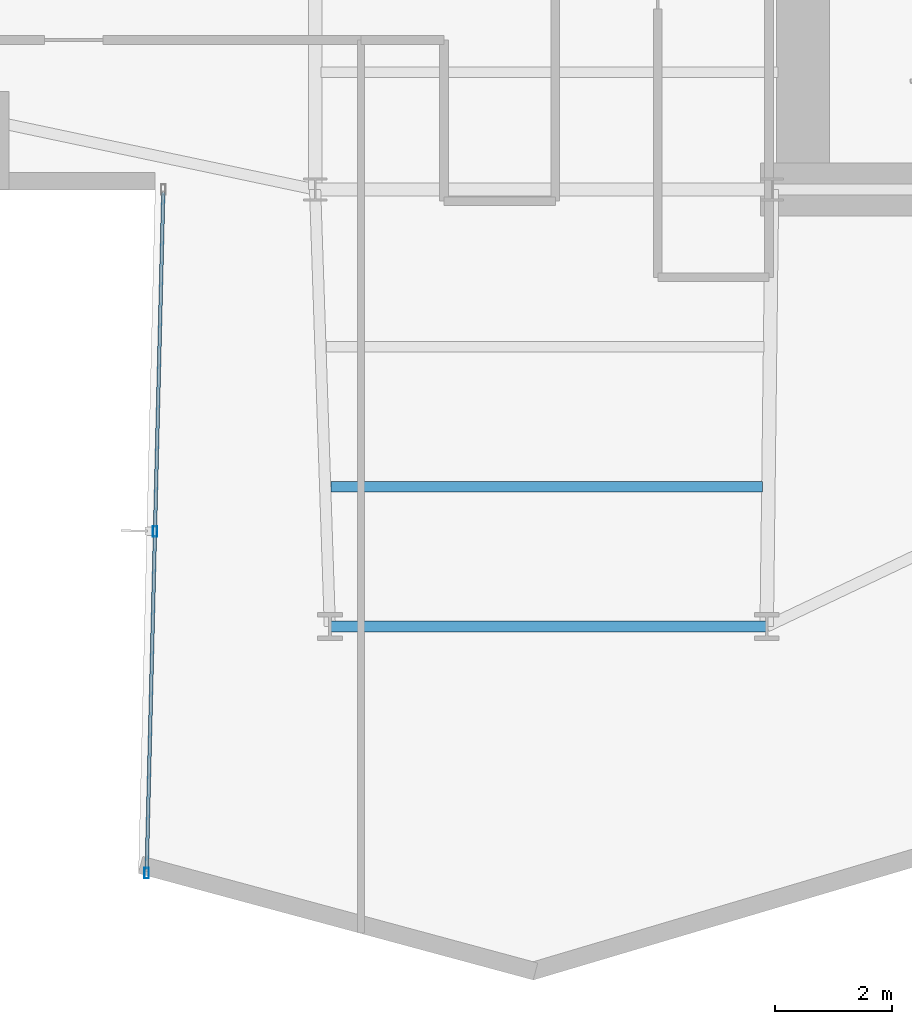
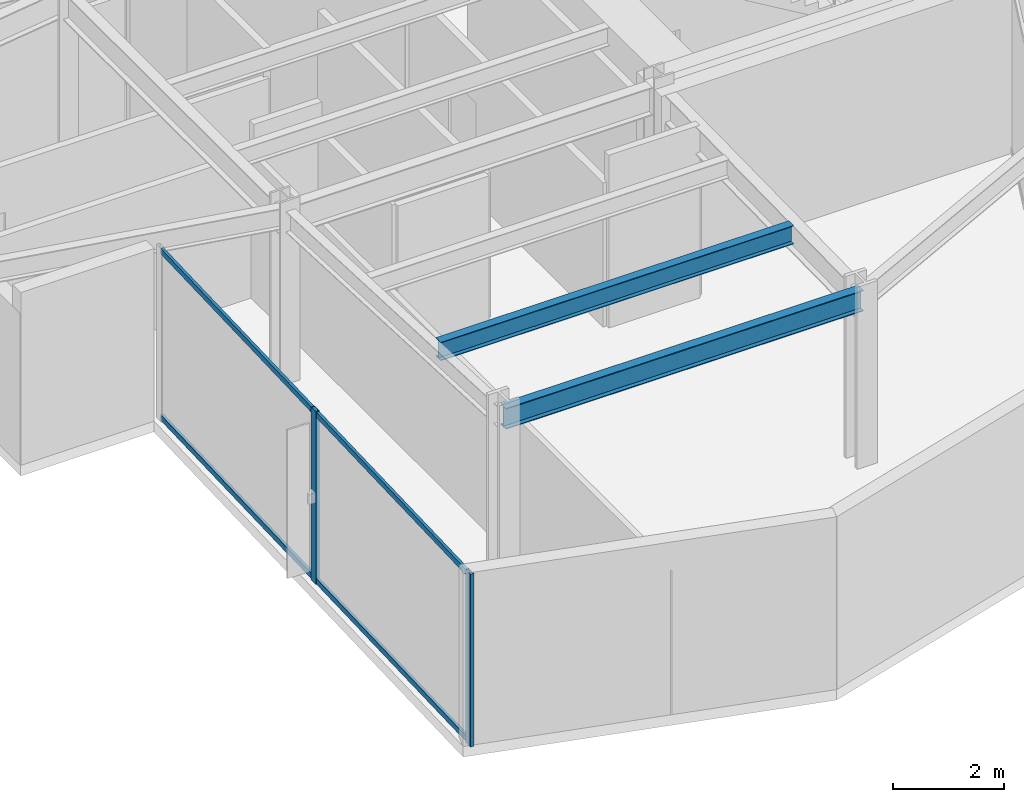
# One storey, part 4 of 25: 4 members, 2 beams, 1 element without a shape of its own.
"""IFC4 building model written with IfcOpenShell, lengths in metres."""

from ifc_helpers import new_model, si_unit, direction, frame, origin, origin_2d, place, context, subcontext, project, spatial, hollow_rectangle, i_section, extrude, material, layer, layer_set, material_profile, profile_set, type_object, element, aggregate, save


model = new_model("IFC4")

# Units and contexts
model_context = context("Model", 3, precision=1e-05, world=origin(), true_north=direction((0.0, 1.0)))
body_context = subcontext(model_context, "Body", "Model", "MODEL_VIEW")
ifc_project = project(units=[si_unit("LENGTHUNIT", "METRE"), si_unit("AREAUNIT", "SQUARE_METRE"), si_unit("VOLUMEUNIT", "CUBIC_METRE"), si_unit("PLANEANGLEUNIT", "RADIAN"), si_unit("MASSUNIT", "GRAM", prefix="KILO")], contexts=[model_context])

# Site, building, storey
site_placement = place(None, origin())
site = spatial("IfcSite", under=ifc_project, at=site_placement, CompositionType="ELEMENT")
building_placement = place(site_placement, origin())
building = spatial("IfcBuilding", under=site, at=building_placement, Name="Veymaron Broadcast Tower", CompositionType="ELEMENT")
storey_placement = place(building_placement, frame((0.0, 0.0, 74.25)))
storey = spatial("IfcBuildingStorey", under=building, at=storey_placement, Name="L16", CompositionType="ELEMENT", Elevation=74.25)

# Beams
ifc_material_1 = material(Name="Structural steel ASTM A992 Gr 50", Category="steel")
ifc_material_profile_1 = material_profile(ifc_material_1, i_section(OverallWidth=0.177978515625, OverallDepth=0.406982421875, WebThickness=0.0078125, FlangeThickness=0.0126953125, at=origin_2d()), Name="W410X60")
ifc_profile_set_1 = profile_set([ifc_material_profile_1], Name="Structural steel ASTM A992 Gr 50")
beam_type_1 = type_object("IfcBeamType", Name="BM-JS1", PredefinedType="JOIST", material=ifc_profile_set_1)
beam_1_placement = place(storey_placement, frame((31.471435546875, 10.92724609375, 3.6064453125), z_axis=(1.0, 0.0, 0.0), x_axis=(0.0, 1.0, 0.0)))
element("IfcBeam", 1, at=beam_1_placement, inside=storey, type_object=beam_type_1, Name="L16 Arm-C secondary joist 2", PredefinedType="JOIST", context=body_context, shape_type="SweptSolid", body=[
    extrude(i_section(OverallWidth=0.177978515625, OverallDepth=0.406982421875, WebThickness=0.0078125, FlangeThickness=0.0126953125, at=origin_2d()), origin(), (0.0, 0.0, 1.0), 7.367431640625),
])
ifc_material_profile_2 = material_profile(ifc_material_1, i_section(OverallWidth=0.19091796875, OverallDepth=0.4599609375, WebThickness=0.010009765625, FlangeThickness=0.01611328125, at=origin_2d()), Name="W460X82")
ifc_profile_set_2 = profile_set([ifc_material_profile_2], Name="Structural steel ASTM A992 Gr 50")
beam_type_2 = type_object("IfcBeamType", Name="BM-SP1", PredefinedType="SPANDREL", material=ifc_profile_set_2)
beam_2_placement = place(storey_placement, frame((31.451904296875, 8.5400390625, 3.580078125), z_axis=(1.0, 0.0, 0.0), x_axis=(0.0, 1.0, 0.0)))
element("IfcBeam", 2, at=beam_2_placement, inside=storey, type_object=beam_type_2, Name="L16 primary structural floor girder", PredefinedType="SPANDREL", context=body_context, shape_type="SweptSolid", body=[
    extrude(i_section(OverallWidth=0.19091796875, OverallDepth=0.4599609375, WebThickness=0.010009765625, FlangeThickness=0.01611328125, at=origin_2d()), origin(), (0.0, 0.0, 1.0), 7.4580078125),
])

# Curtain wall, members
ifc_material_2 = material(Name="Anodised aluminium AA 6063-T6 and laminated low-E dark glass", Category="aluminium")
ifc_layer = layer(ifc_material_2, 0.179931640625)
ifc_layer_set = layer_set([ifc_layer], Name="Anodised aluminium AA 6063-T6 and laminated low-E dark glass")
curtain_wall_type = type_object("IfcCurtainWallType", Name="CW-SYS-02", PredefinedType="NOTDEFINED", material=ifc_layer_set)
curtain_wall_placement = place(storey_placement, origin())
curtain_wall = element("IfcCurtainWall", 3, at=curtain_wall_placement, inside=storey, type_object=curtain_wall_type, Name="L16 dark-glass curtain wall CW-L16-E17-1", PredefinedType="NOTDEFINED")
ifc_material_3 = material(Name="Anodised aluminium AA 6063-T6", Category="aluminium")
ifc_material_profile_3 = material_profile(ifc_material_3, hollow_rectangle(XDim=0.074951171875, YDim=0.179931640625, WallThickness=0.0048828125, at=origin_2d()), Name="AL180X75X5")
ifc_profile_set_3 = profile_set([ifc_material_profile_3], Name="Anodised aluminium AA 6063-T6")
member_type_1 = type_object("IfcMemberType", Name="CW-MUL-02", PredefinedType="MULLION", material=ifc_profile_set_3)
member_1_placement = place(storey_placement, frame((28.46630859375, 10.16357421875, 0.0), z_axis=(0.0, 0.0, 1.0), x_axis=(1.0, 0.0, 0.0)))
member_1 = element("IfcMember", 4, at=member_1_placement, type_object=member_type_1, Name="CW-L16-E17-1 mullion 1", PredefinedType="MULLION", context=body_context, shape_type="SweptSolid", body=[
    extrude(hollow_rectangle(XDim=0.074951171875, YDim=0.179931640625, WallThickness=0.0048828125, at=origin_2d()), origin(), (0.0, 0.0, 1.0), 3.81005859375),
])
member_2_placement = place(storey_placement, frame((28.323974609375, 4.33056640625, 0.0), z_axis=(0.0, 0.0, 1.0), x_axis=(1.0, 0.0, 0.0)))
member_2 = element("IfcMember", 5, at=member_2_placement, type_object=member_type_1, Name="CW-L16-E17-1 mullion 2", PredefinedType="MULLION", context=body_context, shape_type="SweptSolid", body=[
    extrude(hollow_rectangle(XDim=0.074951171875, YDim=0.179931640625, WallThickness=0.0048828125, at=origin_2d()), origin(), (0.0, 0.0, 1.0), 3.81005859375),
])
ifc_material_profile_4 = material_profile(ifc_material_3, hollow_rectangle(XDim=0.06005859375, YDim=0.1201171875, WallThickness=0.00390625, at=origin_2d()), Name="AL120X60X4")
ifc_profile_set_4 = profile_set([ifc_material_profile_4], Name="Anodised aluminium AA 6063-T6")
member_type_2 = type_object("IfcMemberType", Name="CW-TRN-02", PredefinedType="USERDEFINED", material=ifc_profile_set_4)
member_3_placement = place(storey_placement, frame((28.607421875, 15.946533203125, 0.070068359375), z_axis=(-0.02439430893, -0.999702414567, 0.0), x_axis=(0.999702414567, -0.02439430893, 0.0)))
member_3 = element("IfcMember", 6, at=member_3_placement, type_object=member_type_2, Name="CW-L16-E17-1 transom B", ObjectType="TRANSOM", PredefinedType="USERDEFINED", context=body_context, shape_type="SweptSolid", body=[
    extrude(hollow_rectangle(XDim=0.06005859375, YDim=0.1201171875, WallThickness=0.00390625, at=origin_2d()), origin(), (0.0, 0.0, 1.0), 11.5693359375),
])
member_4_placement = place(storey_placement, frame((28.607421875, 15.946533203125, 3.739990234375), z_axis=(-0.02439430893, -0.999702414567, 0.0), x_axis=(0.999702414567, -0.02439430893, 0.0)))
member_4 = element("IfcMember", 7, at=member_4_placement, type_object=member_type_2, Name="CW-L16-E17-1 transom T", ObjectType="TRANSOM", PredefinedType="USERDEFINED", context=body_context, shape_type="SweptSolid", body=[
    extrude(hollow_rectangle(XDim=0.06005859375, YDim=0.1201171875, WallThickness=0.00390625, at=origin_2d()), origin(), (0.0, 0.0, 1.0), 11.5693359375),
])
aggregate(curtain_wall, [member_1, member_2, member_3, member_4])

save(model, "model.ifc")
